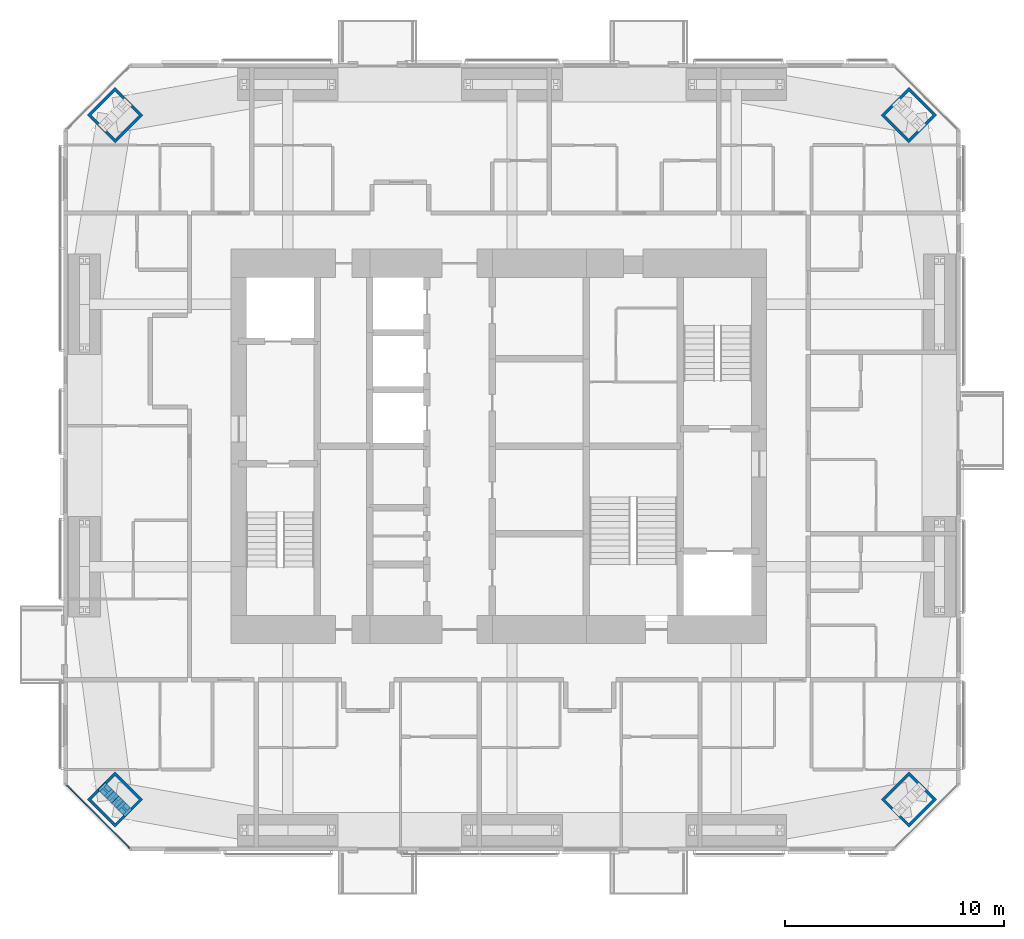
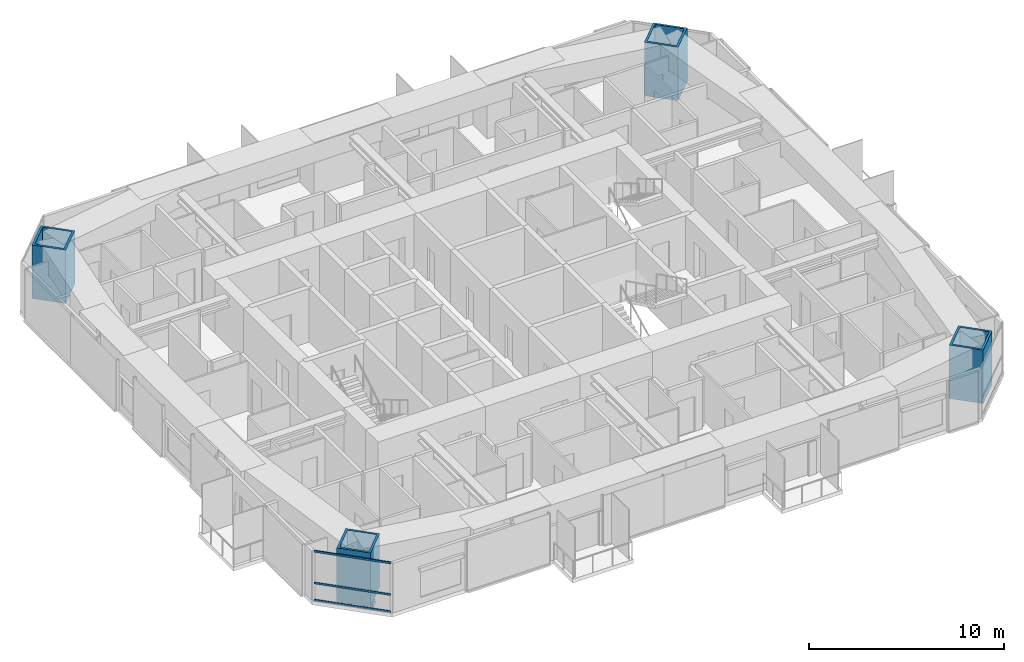
# One storey, part 1 of 23: 7 members, 4 columns, 1 element without a shape of its own.
"""IFC4 building model written with IfcOpenShell, lengths in metres."""

from ifc_helpers import new_model, si_unit, direction, frame, origin, origin_2d, place, context, subcontext, project, spatial, rectangle, hollow_rectangle, i_section, extrude, material, material_profile, profile_set, type_object, element, aggregate, save


model = new_model("IFC4")

# Units and contexts
model_context = context("Model", 3, precision=1e-05, world=origin(), true_north=direction((0.0, 1.0)))
body_context = subcontext(model_context, "Body", "Model", "MODEL_VIEW")
ifc_project = project(units=[si_unit("LENGTHUNIT", "METRE"), si_unit("AREAUNIT", "SQUARE_METRE"), si_unit("VOLUMEUNIT", "CUBIC_METRE"), si_unit("PLANEANGLEUNIT", "RADIAN"), si_unit("MASSUNIT", "GRAM", prefix="KILO")], contexts=[model_context])

# Site, building, storey
site_placement = place(None, origin())
site = spatial("IfcSite", under=ifc_project, at=site_placement, CompositionType="ELEMENT")
building_placement = place(site_placement, origin())
building = spatial("IfcBuilding", under=site, at=building_placement, Name="Jalousie Tower", CompositionType="ELEMENT")
storey_placement = place(building_placement, frame((0.0, 0.0, 157.699951171875)))
storey = spatial("IfcBuildingStorey", under=building, at=storey_placement, Name="L42", CompositionType="ELEMENT", Elevation=157.699951171875)

# Columns
ifc_material_1 = material(Name="Steel EN 10025-2 S355J2 plate", Category="steel")
ifc_material_profile_1 = material_profile(ifc_material_1, hollow_rectangle(XDim=1.800048828125, YDim=1.800048828125, WallThickness=0.125, at=origin_2d()), Name="BOX 1800x1800x125")
ifc_profile_set_1 = profile_set([ifc_material_profile_1], Name="Steel EN 10025-2 S355J2 plate")
column_type = type_object("IfcColumnType", Name="BUILT-UP BOX CORNER COLUMN BOX 1800x1800x125", PredefinedType="COLUMN", material=ifc_profile_set_1)
for number, where, z_axis, x_axis, name in (
    (1, (14.348388671875, 2.348388671875, 0.0), (0.0, 0.0, 1.0), (0.707106781187, 0.707106781187, 0.0), "Corner column 01 L42"),
    (2, (50.651611328125, 2.348388671875, 0.0), (0.0, 0.0, 1.0), (-0.707106781187, 0.707106781187, 0.0), "Corner column 05 L42"),
    (3, (50.651611328125, 33.651611328125, 0.0), (0.0, 0.0, 1.0), (-0.707106781187, -0.707106781187, 0.0), "Corner column 08 L42"),
    (4, (14.348388671875, 33.651611328125, 0.0), (0.0, 0.0, 1.0), (0.707106781187, -0.707106781187, 0.0), "Corner column 12 L42"),
):
    element("IfcColumn", number, at=place(storey_placement, frame(where, z_axis=z_axis, x_axis=x_axis)), inside=storey, type_object=column_type, Name=name, PredefinedType="COLUMN", context=body_context, shape_type="SweptSolid", body=[
        extrude(hollow_rectangle(XDim=1.800048828125, YDim=1.800048828125, WallThickness=0.125, at=origin_2d()), origin(), (0.0, 0.0, 1.0), 3.35009765625),
    ])

# Curtain wall, members
ifc_material_2 = material(Name="Aluminium curtain wall", Category="aluminium")
curtain_wall_type = type_object("IfcCurtainWallType", Name="CORNER WINDOW WALL", PredefinedType="USERDEFINED", material=ifc_material_2)
curtain_wall_placement = place(storey_placement, origin())
curtain_wall = element("IfcCurtainWall", 5, at=curtain_wall_placement, inside=storey, type_object=curtain_wall_type, Name="Corner Window Wall L42 8", ObjectType="CORNER WINDOW WALL", PredefinedType="USERDEFINED")
ifc_material_3 = material(Name="Aluminium transom", Category="aluminium")
ifc_material_profile_2 = material_profile(ifc_material_3, rectangle(XDim=0.06005859375, YDim=0.1201171875, at=origin_2d()), Name="TRANSOM 60x120")
ifc_profile_set_2 = profile_set([ifc_material_profile_2], Name="Aluminium transom")
member_type_1 = type_object("IfcMemberType", Name="CORNER WINDOW WALL TRANSOM", PredefinedType="USERDEFINED", material=ifc_profile_set_2)
member_1_placement = place(storey_placement, frame((12.1298828125, 3.0087890625, 0.030029296875), z_axis=(0.707106781187, -0.707106781187, 0.0), x_axis=(0.707106781187, 0.707106781187, 0.0)))
member_1 = element("IfcMember", 6, at=member_1_placement, type_object=member_type_1, Name="CW-C transom 1.1", ObjectType="TRANSOM", PredefinedType="USERDEFINED", context=body_context, shape_type="SweptSolid", body=[
    extrude(rectangle(XDim=0.06005859375, YDim=0.1201171875, at=origin_2d()), origin(), (0.0, 0.0, 1.0), 4.0712890625),
])
member_2_placement = place(storey_placement, frame((12.1298828125, 3.0087890625, 1.10009765625), z_axis=(0.707106781187, -0.707106781187, 0.0), x_axis=(0.707106781187, 0.707106781187, 0.0)))
member_2 = element("IfcMember", 7, at=member_2_placement, type_object=member_type_1, Name="CW-C transom 1.2", ObjectType="TRANSOM", PredefinedType="USERDEFINED", context=body_context, shape_type="SweptSolid", body=[
    extrude(rectangle(XDim=0.06005859375, YDim=0.1201171875, at=origin_2d()), origin(), (0.0, 0.0, 1.0), 4.0712890625),
])
member_3_placement = place(storey_placement, frame((12.1298828125, 3.0087890625, 3.080078125), z_axis=(0.707106781187, -0.707106781187, 0.0), x_axis=(0.707106781187, 0.707106781187, 0.0)))
member_3 = element("IfcMember", 8, at=member_3_placement, type_object=member_type_1, Name="CW-C transom 1.3", ObjectType="TRANSOM", PredefinedType="USERDEFINED", context=body_context, shape_type="SweptSolid", body=[
    extrude(rectangle(XDim=0.06005859375, YDim=0.1201171875, at=origin_2d()), origin(), (0.0, 0.0, 1.0), 4.0712890625),
])
aggregate(curtain_wall, [member_1, member_2, member_3])

# Members
ifc_material_4 = material(Name="Steel ASTM A992 Grade 50", Category="steel")
ifc_material_profile_3 = material_profile(ifc_material_4, i_section(OverallWidth=0.472412109375, OverallDepth=0.5791015625, WebThickness=0.094970703125, FlangeThickness=0.1298828125, at=origin_2d()), Name="W14X808")
ifc_profile_set_3 = profile_set([ifc_material_profile_3], Name="Steel ASTM A992 Grade 50")
member_type_2 = type_object("IfcMemberType", Name="PERIMETER BRACE W14X808", PredefinedType="BRACE", material=ifc_profile_set_3)
member_4_placement = place(storey_placement, frame((13.92431640625, 2.772705078125, -0.599853515625), z_axis=(0.238376334543, -0.238513569048, 0.941428701766), x_axis=(0.707310235866, 0.706903267951, 0.0)))
element("IfcMember", 9, at=member_4_placement, inside=storey, type_object=member_type_2, Name="Perimeter brace 01 L42 part 1", PredefinedType="BRACE", context=body_context, shape_type="SweptSolid", body=[
    extrude(i_section(OverallWidth=0.472412109375, OverallDepth=0.5791015625, WebThickness=0.094970703125, FlangeThickness=0.1298828125, at=origin_2d()), origin(), (0.0, 0.0, 1.0), 1.779052734375),
])
member_5_placement = place(storey_placement, frame((14.348388671875, 2.348388671875, 1.074951171875), z_axis=(0.238482757655, -0.238345540878, 0.941444303953), x_axis=(0.706903267951, 0.707310235866, 0.0)))
element("IfcMember", 10, at=member_5_placement, inside=storey, type_object=member_type_2, Name="Perimeter brace 01 L42 part 2", PredefinedType="BRACE", context=body_context, shape_type="SweptSolid", body=[
    extrude(i_section(OverallWidth=0.472412109375, OverallDepth=0.5791015625, WebThickness=0.094970703125, FlangeThickness=0.1298828125, at=origin_2d()), origin(), (0.0, 0.0, 1.0), 1.779296875),
])
member_6_placement = place(storey_placement, frame((14.772705078125, 1.92431640625, -0.599853515625), z_axis=(-0.238513569048, 0.238376334543, 0.941428701766), x_axis=(-0.706903267951, -0.707310235866, 0.0)))
element("IfcMember", 11, at=member_6_placement, inside=storey, type_object=member_type_2, Name="Perimeter brace 01 L42 part 3", PredefinedType="BRACE", context=body_context, shape_type="SweptSolid", body=[
    extrude(i_section(OverallWidth=0.472412109375, OverallDepth=0.5791015625, WebThickness=0.094970703125, FlangeThickness=0.1298828125, at=origin_2d()), origin(), (0.0, 0.0, 1.0), 1.779052734375),
])
member_7_placement = place(storey_placement, frame((14.348388671875, 2.348388671875, 1.074951171875), z_axis=(-0.238345540878, 0.238482757655, 0.941444303953), x_axis=(-0.707310235866, -0.706903267951, 0.0)))
element("IfcMember", 12, at=member_7_placement, inside=storey, type_object=member_type_2, Name="Perimeter brace 01 L42 part 4", PredefinedType="BRACE", context=body_context, shape_type="SweptSolid", body=[
    extrude(i_section(OverallWidth=0.472412109375, OverallDepth=0.5791015625, WebThickness=0.094970703125, FlangeThickness=0.1298828125, at=origin_2d()), origin(), (0.0, 0.0, 1.0), 1.779296875),
])

save(model, "model.ifc")
